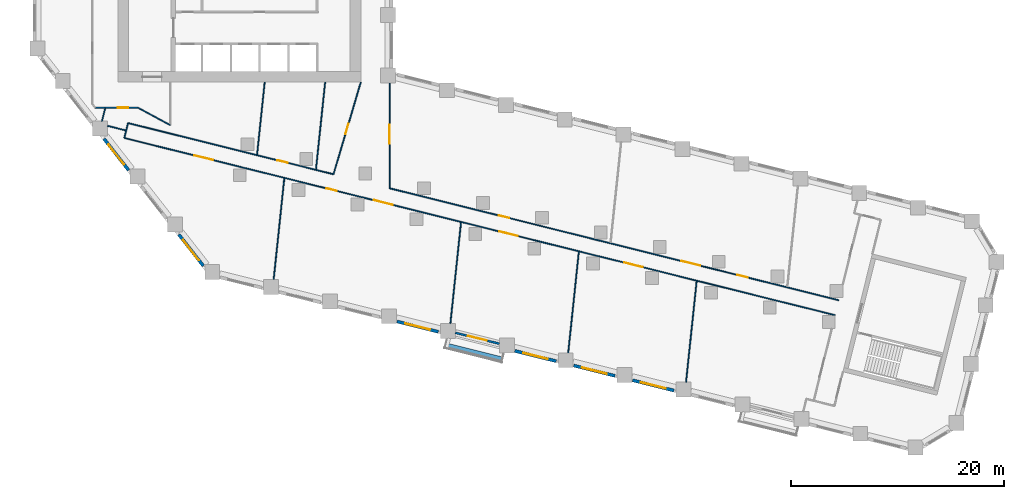
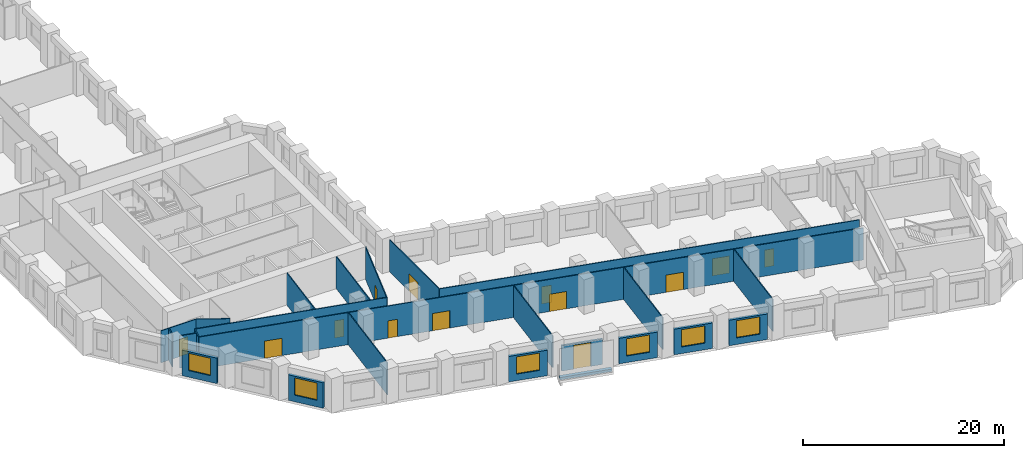
# One storey, part 3 of 11: 24 walls, 13 doors, 6 windows, 19 openings.
"""IFC4 building model written with IfcOpenShell, lengths in metres."""

from ifc_helpers import new_model, si_unit, direction, frame, frame_2d, origin, place, context, subcontext, project, spatial, rectangle, extrude, material, layer, layer_set, type_object, element, fill, save


model = new_model("IFC4")

# Units and contexts
model_context = context("Model", 3, precision=1e-05, world=origin(), true_north=direction((0.0, 1.0)))
body_context = subcontext(model_context, "Body", "Model", "MODEL_VIEW")
ifc_project = project(units=[si_unit("LENGTHUNIT", "METRE"), si_unit("AREAUNIT", "SQUARE_METRE"), si_unit("VOLUMEUNIT", "CUBIC_METRE"), si_unit("PLANEANGLEUNIT", "RADIAN"), si_unit("MASSUNIT", "GRAM", prefix="KILO")], contexts=[model_context])

# Site, building, storey
site_placement = place(None, origin())
site = spatial("IfcSite", under=ifc_project, at=site_placement, CompositionType="ELEMENT")
building_placement = place(site_placement, origin())
building = spatial("IfcBuilding", under=site, at=building_placement, Name="Meshkara Civic Tower", CompositionType="ELEMENT")
storey_placement = place(building_placement, frame((0.0, 0.0, 45.60009765625)))
storey = spatial("IfcBuildingStorey", under=building, at=storey_placement, Name="L09", CompositionType="ELEMENT", Elevation=45.60009765625)

# Wall, opening, door
ifc_material_1 = material(Name="Corridor wall 100")
ifc_layer_1 = layer(ifc_material_1, 0.10009765625)
ifc_layer_set_1 = layer_set([ifc_layer_1], Name="Corridor wall 100")
wall_type_1 = type_object("IfcWallType", Name="Corridor wall 100", PredefinedType="PARTITIONING", material=ifc_layer_set_1)
wall_1_placement = place(storey_placement, frame((5.867919921875, 11.699951171875, 0.0), z_axis=(0.0, 0.0, 1.0), x_axis=(1.0, 0.0, 0.0)))
wall_1 = element("IfcWall", 1, at=wall_1_placement, inside=storey, type_object=wall_type_1, Name="L09-W007", PredefinedType="PARTITIONING", context=body_context, shape_type="SweptSolid", body=[
    extrude(rectangle(XDim=4.031982421875, YDim=0.10009765625, at=frame_2d((2.01611328125, 0.0))), origin(), (0.0, 0.0, 1.0), 3.89990234375),
])
opening_1_placement = place(wall_1_placement, frame((2.10888671875, 0.0, 0.0)))
opening_1 = element("IfcOpeningElement", 2, at=opening_1_placement, cuts=wall_1, Name="Opening L09-D012", PredefinedType="OPENING", context=body_context, shape_type="SweptSolid", body=[
    extrude(rectangle(XDim=1.0, YDim=2.10009765625, at=frame_2d((0.5, 1.050048828125))), frame((0.0, 0.06005859375, 0.0), z_axis=(0.0, -1.0, 0.0), x_axis=(1.0, 0.0, 0.0)), (0.0, 0.0, 1.0), 0.1201171875),
])
ifc_material_2 = material(Name="Door 1000 x 2100")
door_type_1 = type_object("IfcDoorType", Name="Door 1000 x 2100", OperationType="SINGLE_SWING_LEFT", PredefinedType="DOOR", material=ifc_material_2)
door_1_placement = place(opening_1_placement, origin())
door_1 = element("IfcDoor", 3, at=door_1_placement, inside=storey, type_object=door_type_1, Name="L09-D012", OperationType="SINGLE_SWING_LEFT", OverallHeight=2.10009765625, OverallWidth=1.0, PredefinedType="DOOR", context=body_context, shape_type="SweptSolid", body=[
    extrude(rectangle(XDim=1.0, YDim=2.10009765625, at=frame_2d((0.5, 1.050048828125))), frame((0.0, 0.02490234375, 0.0), z_axis=(0.0, -1.0, 0.0), x_axis=(1.0, 0.0, 0.0)), (0.0, 0.0, 1.0), 0.050048828125),
])
fill(opening_1, door_1)

# Wall, openings, doors
wall_2_placement = place(storey_placement, frame((8.593994140625, 8.862060546875, 0.0), z_axis=(0.0, 0.0, 1.0), x_axis=(0.970292243361, -0.241935864379, 0.0)))
wall_2 = element("IfcWall", 4, at=wall_2_placement, inside=storey, type_object=wall_type_1, Name="L09-W009", PredefinedType="PARTITIONING", context=body_context, shape_type="SweptSolid", body=[
    extrude(rectangle(XDim=68.775146484375, YDim=0.10009765625, at=frame_2d((34.3876953125, 0.0))), origin(), (0.0, 0.0, 1.0), 3.89990234375),
])
opening_2_placement = place(wall_2_placement, frame((36.264892578125, 0.0, 0.0)))
opening_2 = element("IfcOpeningElement", 5, at=opening_2_placement, cuts=wall_2, Name="Opening L09-D003", PredefinedType="OPENING", context=body_context, shape_type="SweptSolid", body=[
    extrude(rectangle(XDim=1.800048828125, YDim=2.10009765625, at=frame_2d((0.89990234375, 1.050048828125))), frame((0.0, 0.06005859375, 0.0), z_axis=(0.0, -1.0, 0.0), x_axis=(1.0, 0.0, 0.0)), (0.0, 0.0, 1.0), 0.1201171875),
])
opening_3_placement = place(wall_2_placement, frame((48.364990234375, 0.0, 0.0)))
opening_3 = element("IfcOpeningElement", 6, at=opening_3_placement, cuts=wall_2, Name="Opening L09-D004", PredefinedType="OPENING", context=body_context, shape_type="SweptSolid", body=[
    extrude(rectangle(XDim=1.800048828125, YDim=2.10009765625, at=frame_2d((0.89990234375, 1.050048828125))), frame((0.0, 0.06005859375, 0.0), z_axis=(0.0, -1.0, 0.0), x_axis=(1.0, 0.0, 0.0)), (0.0, 0.0, 1.0), 0.1201171875),
])
opening_4_placement = place(wall_2_placement, frame((19.56494140625, 0.0, 0.0)))
opening_4 = element("IfcOpeningElement", 7, at=opening_4_placement, cuts=wall_2, Name="Opening L09-D008", PredefinedType="OPENING", context=body_context, shape_type="SweptSolid", body=[
    extrude(rectangle(XDim=1.0, YDim=2.10009765625, at=frame_2d((0.5, 1.050048828125))), frame((0.0, 0.06005859375, 0.0), z_axis=(0.0, -1.0, 0.0), x_axis=(1.0, 0.0, 0.0)), (0.0, 0.0, 1.0), 0.1201171875),
])
opening_5_placement = place(wall_2_placement, frame((24.1650390625, 0.0, 0.0)))
opening_5 = element("IfcOpeningElement", 8, at=opening_5_placement, cuts=wall_2, Name="Opening L09-D009", PredefinedType="OPENING", context=body_context, shape_type="SweptSolid", body=[
    extrude(rectangle(XDim=1.800048828125, YDim=2.10009765625, at=frame_2d((0.89990234375, 1.050048828125))), frame((0.0, 0.06005859375, 0.0), z_axis=(0.0, -1.0, 0.0), x_axis=(1.0, 0.0, 0.0)), (0.0, 0.0, 1.0), 0.1201171875),
])
opening_6_placement = place(wall_2_placement, frame((6.780029296875, 0.0, 0.0)))
opening_6 = element("IfcOpeningElement", 9, at=opening_6_placement, cuts=wall_2, Name="Opening L09-D013", PredefinedType="OPENING", context=body_context, shape_type="SweptSolid", body=[
    extrude(rectangle(XDim=1.800048828125, YDim=2.10009765625, at=frame_2d((0.89990234375, 1.050048828125))), frame((0.0, 0.06005859375, 0.0), z_axis=(0.0, -1.0, 0.0), x_axis=(1.0, 0.0, 0.0)), (0.0, 0.0, 1.0), 0.1201171875),
])
door_2_placement = place(opening_4_placement, origin())
door_2 = element("IfcDoor", 10, at=door_2_placement, inside=storey, type_object=door_type_1, Name="L09-D008", OperationType="SINGLE_SWING_RIGHT", OverallHeight=2.10009765625, OverallWidth=1.0, PredefinedType="DOOR", context=body_context, shape_type="SweptSolid", body=[
    extrude(rectangle(XDim=1.0, YDim=2.10009765625, at=frame_2d((0.5, 1.050048828125))), frame((0.0, 0.02490234375, 0.0), z_axis=(0.0, -1.0, 0.0), x_axis=(1.0, 0.0, 0.0)), (0.0, 0.0, 1.0), 0.050048828125),
])
fill(opening_4, door_2)
ifc_material_3 = material(Name="Door pair 1800 x 2100")
door_type_2 = type_object("IfcDoorType", Name="Door pair 1800 x 2100", OperationType="SINGLE_SWING_LEFT", PredefinedType="DOOR", material=ifc_material_3)
door_3_placement = place(opening_2_placement, origin())
door_3 = element("IfcDoor", 11, at=door_3_placement, inside=storey, type_object=door_type_2, Name="L09-D003", OperationType="DOUBLE_DOOR_SINGLE_SWING", OverallHeight=2.10009765625, OverallWidth=1.800048828125, PredefinedType="DOOR", context=body_context, shape_type="SweptSolid", body=[
    extrude(rectangle(XDim=1.800048828125, YDim=2.10009765625, at=frame_2d((0.89990234375, 1.050048828125))), frame((0.0, 0.02490234375, 0.0), z_axis=(0.0, -1.0, 0.0), x_axis=(1.0, 0.0, 0.0)), (0.0, 0.0, 1.0), 0.050048828125),
])
fill(opening_2, door_3)
door_4_placement = place(opening_3_placement, origin())
door_4 = element("IfcDoor", 12, at=door_4_placement, inside=storey, type_object=door_type_2, Name="L09-D004", OperationType="DOUBLE_DOOR_SINGLE_SWING", OverallHeight=2.10009765625, OverallWidth=1.800048828125, PredefinedType="DOOR", context=body_context, shape_type="SweptSolid", body=[
    extrude(rectangle(XDim=1.800048828125, YDim=2.10009765625, at=frame_2d((0.89990234375, 1.050048828125))), frame((0.0, 0.02490234375, 0.0), z_axis=(0.0, -1.0, 0.0), x_axis=(1.0, 0.0, 0.0)), (0.0, 0.0, 1.0), 0.050048828125),
])
fill(opening_3, door_4)
door_5_placement = place(opening_5_placement, origin())
door_5 = element("IfcDoor", 13, at=door_5_placement, inside=storey, type_object=door_type_2, Name="L09-D009", OperationType="DOUBLE_DOOR_SINGLE_SWING", OverallHeight=2.10009765625, OverallWidth=1.800048828125, PredefinedType="DOOR", context=body_context, shape_type="SweptSolid", body=[
    extrude(rectangle(XDim=1.800048828125, YDim=2.10009765625, at=frame_2d((0.89990234375, 1.050048828125))), frame((0.0, 0.02490234375, 0.0), z_axis=(0.0, -1.0, 0.0), x_axis=(1.0, 0.0, 0.0)), (0.0, 0.0, 1.0), 0.050048828125),
])
fill(opening_5, door_5)
door_6_placement = place(opening_6_placement, origin())
door_6 = element("IfcDoor", 14, at=door_6_placement, inside=storey, type_object=door_type_2, Name="L09-D013", OperationType="DOUBLE_DOOR_SINGLE_SWING", OverallHeight=2.10009765625, OverallWidth=1.800048828125, PredefinedType="DOOR", context=body_context, shape_type="SweptSolid", body=[
    extrude(rectangle(XDim=1.800048828125, YDim=2.10009765625, at=frame_2d((0.89990234375, 1.050048828125))), frame((0.0, 0.02490234375, 0.0), z_axis=(0.0, -1.0, 0.0), x_axis=(1.0, 0.0, 0.0)), (0.0, 0.0, 1.0), 0.050048828125),
])
fill(opening_6, door_6)

# Wall, opening, door
wall_3_placement = place(storey_placement, frame((8.944091796875, 10.263916015625, 0.0), z_axis=(0.0, 0.0, 1.0), x_axis=(0.970300504447, -0.241902730595, 0.0)))
wall_3 = element("IfcWall", 15, at=wall_3_placement, inside=storey, type_object=wall_type_1, Name="L09-W010", PredefinedType="PARTITIONING", context=body_context, shape_type="SweptSolid", body=[
    extrude(rectangle(XDim=19.879150390625, YDim=0.10009765625, at=frame_2d((9.939453125, 0.0))), origin(), (0.0, 0.0, 1.0), 3.89990234375),
])
opening_7_placement = place(wall_3_placement, frame((14.449951171875, 0.0, 0.0)))
opening_7 = element("IfcOpeningElement", 16, at=opening_7_placement, cuts=wall_3, Name="Opening L09-D014", PredefinedType="OPENING", context=body_context, shape_type="SweptSolid", body=[
    extrude(rectangle(XDim=1.0, YDim=2.10009765625, at=frame_2d((0.5, 1.050048828125))), frame((0.0, 0.06005859375, 0.0), z_axis=(0.0, -1.0, 0.0), x_axis=(1.0, 0.0, 0.0)), (0.0, 0.0, 1.0), 0.1201171875),
])
door_7_placement = place(opening_7_placement, origin())
door_7 = element("IfcDoor", 17, at=door_7_placement, inside=storey, type_object=door_type_1, Name="L09-D014", OperationType="SINGLE_SWING_LEFT", OverallHeight=2.10009765625, OverallWidth=1.0, PredefinedType="DOOR", context=body_context, shape_type="SweptSolid", body=[
    extrude(rectangle(XDim=1.0, YDim=2.10009765625, at=frame_2d((0.5, 1.050048828125))), frame((0.0, 0.02490234375, 0.0), z_axis=(0.0, -1.0, 0.0), x_axis=(1.0, 0.0, 0.0)), (0.0, 0.0, 1.0), 0.050048828125),
])
fill(opening_7, door_7)

# Walls
wall_4_placement = place(storey_placement, frame((8.944091796875, 10.263916015625, 0.0), z_axis=(0.0, 0.0, 1.0), x_axis=(-0.242297077633, -0.970202105837, 0.0)))
element("IfcWall", 18, at=wall_4_placement, inside=storey, type_object=wall_type_1, Name="L09-W011", PredefinedType="PARTITIONING", context=body_context, shape_type="SweptSolid", body=[
    extrude(rectangle(XDim=1.44482421875, YDim=0.10009765625, at=frame_2d((0.722412109375, 0.0))), origin(), (0.0, 0.0, 1.0), 3.89990234375),
])
wall_5_placement = place(storey_placement, frame((9.89990234375, 11.699951171875, 0.0), z_axis=(0.0, 0.0, 1.0), x_axis=(0.87965147249, -0.475618846291, 0.0)))
element("IfcWall", 19, at=wall_5_placement, inside=storey, type_object=wall_type_1, Name="L09-W012", PredefinedType="PARTITIONING", context=body_context, shape_type="SweptSolid", body=[
    extrude(rectangle(XDim=3.410400390625, YDim=0.10009765625, at=frame_2d((1.705078125, 0.0))), origin(), (0.0, 0.0, 1.0), 3.89990234375),
])

# Wall, opening, door
wall_6_placement = place(storey_placement, frame((30.800048828125, 14.10009765625, 0.0), z_axis=(0.0, 0.0, 1.0), x_axis=(-0.284664373847, -0.95862724469, 0.0)))
wall_6 = element("IfcWall", 20, at=wall_6_placement, inside=storey, type_object=wall_type_1, Name="L09-W022", PredefinedType="PARTITIONING", context=body_context, shape_type="SweptSolid", body=[
    extrude(rectangle(XDim=9.01806640625, YDim=0.10009765625, at=frame_2d((4.509033203125, 0.0))), origin(), (0.0, 0.0, 1.0), 3.89990234375),
])
opening_8_placement = place(wall_6_placement, frame((4.080078125, 0.0, 0.0)))
opening_8 = element("IfcOpeningElement", 21, at=opening_8_placement, cuts=wall_6, Name="Opening L09-D015", PredefinedType="OPENING", context=body_context, shape_type="SweptSolid", body=[
    extrude(rectangle(XDim=1.0, YDim=2.10009765625, at=frame_2d((0.5, 1.050048828125))), frame((0.0, 0.06005859375, 0.0), z_axis=(0.0, -1.0, 0.0), x_axis=(1.0, 0.0, 0.0)), (0.0, 0.0, 1.0), 0.1201171875),
])
door_8_placement = place(opening_8_placement, origin())
door_8 = element("IfcDoor", 22, at=door_8_placement, inside=storey, type_object=door_type_1, Name="L09-D015", OperationType="SINGLE_SWING_LEFT", OverallHeight=2.10009765625, OverallWidth=1.0, PredefinedType="DOOR", context=body_context, shape_type="SweptSolid", body=[
    extrude(rectangle(XDim=1.0, YDim=2.10009765625, at=frame_2d((0.5, 1.050048828125))), frame((0.0, 0.02490234375, 0.0), z_axis=(0.0, -1.0, 0.0), x_axis=(1.0, 0.0, 0.0)), (0.0, 0.0, 1.0), 0.050048828125),
])
fill(opening_8, door_8)

# Wall, openings, doors
wall_7_placement = place(storey_placement, frame((33.5, 4.14111328125, 0.0), z_axis=(0.0, 0.0, 1.0), x_axis=(0.970298574657, -0.24191047108, 0.0)))
wall_7 = element("IfcWall", 23, at=wall_7_placement, inside=storey, type_object=wall_type_1, Name="L09-W023", PredefinedType="PARTITIONING", context=body_context, shape_type="SweptSolid", body=[
    extrude(rectangle(XDim=43.467041015625, YDim=0.10009765625, at=frame_2d((21.7333984375, 0.0))), origin(), (0.0, 0.0, 1.0), 3.89990234375),
])
opening_9_placement = place(wall_7_placement, frame((28.242919921875, 0.0, 0.0)))
opening_9 = element("IfcOpeningElement", 24, at=opening_9_placement, cuts=wall_7, Name="Opening L09-D005", PredefinedType="OPENING", context=body_context, shape_type="SweptSolid", body=[
    extrude(rectangle(XDim=1.800048828125, YDim=2.10009765625, at=frame_2d((0.89990234375, 1.050048828125))), frame((0.0, 0.06005859375, 0.0), z_axis=(0.0, -1.0, 0.0), x_axis=(1.0, 0.0, 0.0)), (0.0, 0.0, 1.0), 0.1201171875),
])
opening_10_placement = place(wall_7_placement, frame((33.64306640625, 0.0, 0.0)))
opening_10 = element("IfcOpeningElement", 25, at=opening_10_placement, cuts=wall_7, Name="Opening L09-D006", PredefinedType="OPENING", context=body_context, shape_type="SweptSolid", body=[
    extrude(rectangle(XDim=1.0, YDim=2.10009765625, at=frame_2d((0.5, 1.050048828125))), frame((0.0, 0.06005859375, 0.0), z_axis=(0.0, -1.0, 0.0), x_axis=(1.0, 0.0, 0.0)), (0.0, 0.0, 1.0), 0.1201171875),
])
opening_11_placement = place(wall_7_placement, frame((10.580078125, 0.0, 0.0)))
opening_11 = element("IfcOpeningElement", 26, at=opening_11_placement, cuts=wall_7, Name="Opening L09-D010", PredefinedType="OPENING", context=body_context, shape_type="SweptSolid", body=[
    extrude(rectangle(XDim=1.0, YDim=2.10009765625, at=frame_2d((0.5, 1.050048828125))), frame((0.0, 0.06005859375, 0.0), z_axis=(0.0, -1.0, 0.0), x_axis=(1.0, 0.0, 0.0)), (0.0, 0.0, 1.0), 0.1201171875),
])
door_9_placement = place(opening_10_placement, origin())
door_9 = element("IfcDoor", 27, at=door_9_placement, inside=storey, type_object=door_type_1, Name="L09-D006", OperationType="SINGLE_SWING_RIGHT", OverallHeight=2.10009765625, OverallWidth=1.0, PredefinedType="DOOR", context=body_context, shape_type="SweptSolid", body=[
    extrude(rectangle(XDim=1.0, YDim=2.10009765625, at=frame_2d((0.5, 1.050048828125))), frame((0.0, 0.02490234375, 0.0), z_axis=(0.0, -1.0, 0.0), x_axis=(1.0, 0.0, 0.0)), (0.0, 0.0, 1.0), 0.050048828125),
])
fill(opening_10, door_9)
door_10_placement = place(opening_11_placement, origin())
door_10 = element("IfcDoor", 28, at=door_10_placement, inside=storey, type_object=door_type_1, Name="L09-D010", OperationType="SINGLE_SWING_RIGHT", OverallHeight=2.10009765625, OverallWidth=1.0, PredefinedType="DOOR", context=body_context, shape_type="SweptSolid", body=[
    extrude(rectangle(XDim=1.0, YDim=2.10009765625, at=frame_2d((0.5, 1.050048828125))), frame((0.0, 0.02490234375, 0.0), z_axis=(0.0, -1.0, 0.0), x_axis=(1.0, 0.0, 0.0)), (0.0, 0.0, 1.0), 0.050048828125),
])
fill(opening_11, door_10)
door_11_placement = place(opening_9_placement, origin())
door_11 = element("IfcDoor", 29, at=door_11_placement, inside=storey, type_object=door_type_2, Name="L09-D005", OperationType="DOUBLE_DOOR_SINGLE_SWING", OverallHeight=2.10009765625, OverallWidth=1.800048828125, PredefinedType="DOOR", context=body_context, shape_type="SweptSolid", body=[
    extrude(rectangle(XDim=1.800048828125, YDim=2.10009765625, at=frame_2d((0.89990234375, 1.050048828125))), frame((0.0, 0.02490234375, 0.0), z_axis=(0.0, -1.0, 0.0), x_axis=(1.0, 0.0, 0.0)), (0.0, 0.0, 1.0), 0.050048828125),
])
fill(opening_9, door_11)

# Wall, opening, door
wall_8_placement = place(storey_placement, frame((33.5, 4.14111328125, 0.0), z_axis=(0.0, 0.0, 1.0), x_axis=(0.0, 1.0, 0.0)))
wall_8 = element("IfcWall", 30, at=wall_8_placement, inside=storey, type_object=wall_type_1, Name="L09-W024", PredefinedType="PARTITIONING", context=body_context, shape_type="SweptSolid", body=[
    extrude(rectangle(XDim=9.8779296875, YDim=0.10009765625, at=frame_2d((4.93896484375, 0.0))), origin(), (0.0, 0.0, 1.0), 3.89990234375),
])
opening_12_placement = place(wall_8_placement, frame((4.179931640625, 0.0, 0.0)))
opening_12 = element("IfcOpeningElement", 31, at=opening_12_placement, cuts=wall_8, Name="Opening L09-D016", PredefinedType="OPENING", context=body_context, shape_type="SweptSolid", body=[
    extrude(rectangle(XDim=1.800048828125, YDim=2.10009765625, at=frame_2d((0.89990234375, 1.050048828125))), frame((0.0, 0.06005859375, 0.0), z_axis=(0.0, -1.0, 0.0), x_axis=(1.0, 0.0, 0.0)), (0.0, 0.0, 1.0), 0.1201171875),
])
door_12_placement = place(opening_12_placement, origin())
door_12 = element("IfcDoor", 32, at=door_12_placement, inside=storey, type_object=door_type_2, Name="L09-D016", OperationType="DOUBLE_DOOR_SINGLE_SWING", OverallHeight=2.10009765625, OverallWidth=1.800048828125, PredefinedType="DOOR", context=body_context, shape_type="SweptSolid", body=[
    extrude(rectangle(XDim=1.800048828125, YDim=2.10009765625, at=frame_2d((0.89990234375, 1.050048828125))), frame((0.0, 0.02490234375, 0.0), z_axis=(0.0, -1.0, 0.0), x_axis=(1.0, 0.0, 0.0)), (0.0, 0.0, 1.0), 0.050048828125),
])
fill(opening_12, door_12)

# Wall, opening, window
ifc_material_4 = material(Name="Insulated infill panel with bronze anodised aluminium cladding", Category="aluminium")
ifc_layer_2 = layer(ifc_material_4, 0.300048828125)
ifc_layer_set_2 = layer_set([ifc_layer_2], Name="EXTERNAL INFILL WALL 300")
wall_type_2 = type_object("IfcWallType", Name="EXTERNAL INFILL WALL 300", PredefinedType="SOLIDWALL", material=ifc_layer_set_2)
wall_9_placement = place(storey_placement, frame((6.69189453125, 8.778076171875, 0.0), z_axis=(0.0, 0.0, 1.0), x_axis=(0.615767067156, -0.787928244833, 0.0)))
wall_9 = element("IfcWall", 33, at=wall_9_placement, inside=storey, type_object=wall_type_2, Name="External wall", PredefinedType="SOLIDWALL", context=body_context, shape_type="SweptSolid", body=[
    extrude(rectangle(XDim=3.7353515625, YDim=0.300048828125, at=frame_2d((1.86767578125, 0.0))), origin(), (0.0, 0.0, 1.0), 3.099853515625),
])
opening_13_placement = place(wall_9_placement, frame((0.66796875, 0.0, 0.800048828125)))
opening_13 = element("IfcOpeningElement", 34, at=opening_13_placement, cuts=wall_9, Name="Opening W7", PredefinedType="OPENING", context=body_context, shape_type="SweptSolid", body=[
    extrude(rectangle(XDim=2.39990234375, YDim=2.10009765625, at=frame_2d((1.199951171875, 1.050048828125))), frame((0.0, 0.159912109375, 0.0), z_axis=(0.0, -1.0, 0.0), x_axis=(1.0, 0.0, 0.0)), (0.0, 0.0, 1.0), 0.320068359375),
])
ifc_material_5 = material(Name="Tinted double glazing", Category="glass")
window_type = type_object("IfcWindowType", Name="WINDOW 2400x2100", PartitioningType="DOUBLE_PANEL_VERTICAL", PredefinedType="WINDOW", material=ifc_material_5)
window_1_placement = place(opening_13_placement, origin())
window_1 = element("IfcWindow", 35, at=window_1_placement, inside=storey, type_object=window_type, Name="Window", OverallHeight=2.10009765625, OverallWidth=2.39990234375, PartitioningType="DOUBLE_PANEL_VERTICAL", PredefinedType="WINDOW", context=body_context, shape_type="SweptSolid", body=[
    extrude(rectangle(XDim=2.39990234375, YDim=2.10009765625, at=frame_2d((1.199951171875, 1.050048828125))), frame((0.0, 0.030029296875, 0.0), z_axis=(0.0, -1.0, 0.0), x_axis=(1.0, 0.0, 0.0)), (0.0, 0.0, 1.0), 0.06005859375),
])
fill(opening_13, window_1)

wall_10_placement = place(storey_placement, frame((13.7099609375, -0.205078125, 0.0), z_axis=(0.0, 0.0, 1.0), x_axis=(0.615798780214, -0.787903460004, 0.0)))
wall_10 = element("IfcWall", 36, at=wall_10_placement, inside=storey, type_object=wall_type_2, Name="External wall", PredefinedType="SOLIDWALL", context=body_context, shape_type="SweptSolid", body=[
    extrude(rectangle(XDim=3.735107421875, YDim=0.300048828125, at=frame_2d((1.86767578125, 0.0))), origin(), (0.0, 0.0, 1.0), 3.099853515625),
])
opening_14_placement = place(wall_10_placement, frame((0.6669921875, 0.0, 0.800048828125)))
opening_14 = element("IfcOpeningElement", 37, at=opening_14_placement, cuts=wall_10, Name="Opening W7", PredefinedType="OPENING", context=body_context, shape_type="SweptSolid", body=[
    extrude(rectangle(XDim=2.39990234375, YDim=2.10009765625, at=frame_2d((1.199951171875, 1.050048828125))), frame((0.0, 0.159912109375, 0.0), z_axis=(0.0, -1.0, 0.0), x_axis=(1.0, 0.0, 0.0)), (0.0, 0.0, 1.0), 0.320068359375),
])
window_2_placement = place(opening_14_placement, origin())
window_2 = element("IfcWindow", 38, at=window_2_placement, inside=storey, type_object=window_type, Name="Window", OverallHeight=2.10009765625, OverallWidth=2.39990234375, PartitioningType="DOUBLE_PANEL_VERTICAL", PredefinedType="WINDOW", context=body_context, shape_type="SweptSolid", body=[
    extrude(rectangle(XDim=2.39990234375, YDim=2.10009765625, at=frame_2d((1.199951171875, 1.050048828125))), frame((0.0, 0.030029296875, 0.0), z_axis=(0.0, -1.0, 0.0), x_axis=(1.0, 0.0, 0.0)), (0.0, 0.0, 1.0), 0.06005859375),
])
fill(opening_14, window_2)

wall_11_placement = place(storey_placement, frame((34.194091796875, -8.37109375, 0.0), z_axis=(0.0, 0.0, 1.0), x_axis=(0.970314477803, -0.241846674911, 0.0)))
wall_11 = element("IfcWall", 39, at=wall_11_placement, inside=storey, type_object=wall_type_2, Name="External wall", PredefinedType="SOLIDWALL", context=body_context, shape_type="SweptSolid", body=[
    extrude(rectangle(XDim=4.002685546875, YDim=0.300048828125, at=frame_2d((2.00146484375, 0.0))), origin(), (0.0, 0.0, 1.0), 3.099853515625),
])
opening_15_placement = place(wall_11_placement, frame((0.802001953125, 0.0, 0.800048828125)))
opening_15 = element("IfcOpeningElement", 40, at=opening_15_placement, cuts=wall_11, Name="Opening W7", PredefinedType="OPENING", context=body_context, shape_type="SweptSolid", body=[
    extrude(rectangle(XDim=2.39990234375, YDim=2.10009765625, at=frame_2d((1.199951171875, 1.050048828125))), frame((0.0, 0.159912109375, 0.0), z_axis=(0.0, -1.0, 0.0), x_axis=(1.0, 0.0, 0.0)), (0.0, 0.0, 1.0), 0.320068359375),
])
window_3_placement = place(opening_15_placement, origin())
window_3 = element("IfcWindow", 41, at=window_3_placement, inside=storey, type_object=window_type, Name="Window", OverallHeight=2.10009765625, OverallWidth=2.39990234375, PartitioningType="DOUBLE_PANEL_VERTICAL", PredefinedType="WINDOW", context=body_context, shape_type="SweptSolid", body=[
    extrude(rectangle(XDim=2.39990234375, YDim=2.10009765625, at=frame_2d((1.199951171875, 1.050048828125))), frame((0.0, 0.030029296875, 0.0), z_axis=(0.0, -1.0, 0.0), x_axis=(1.0, 0.0, 0.0)), (0.0, 0.0, 1.0), 0.06005859375),
])
fill(opening_15, window_3)

wall_12_placement = place(storey_placement, frame((45.256103515625, -11.12890625, 0.0), z_axis=(0.0, 0.0, 1.0), x_axis=(0.970300202301, -0.241903942538, 0.0)))
wall_12 = element("IfcWall", 42, at=wall_12_placement, inside=storey, type_object=wall_type_2, Name="External wall", PredefinedType="SOLIDWALL", context=body_context, shape_type="SweptSolid", body=[
    extrude(rectangle(XDim=4.001708984375, YDim=0.300048828125, at=frame_2d((2.0009765625, 0.0))), origin(), (0.0, 0.0, 1.0), 3.099853515625),
])
opening_16_placement = place(wall_12_placement, frame((0.801025390625, 0.0, 0.800048828125)))
opening_16 = element("IfcOpeningElement", 43, at=opening_16_placement, cuts=wall_12, Name="Opening W7", PredefinedType="OPENING", context=body_context, shape_type="SweptSolid", body=[
    extrude(rectangle(XDim=2.39990234375, YDim=2.10009765625, at=frame_2d((1.199951171875, 1.050048828125))), frame((0.0, 0.159912109375, 0.0), z_axis=(0.0, -1.0, 0.0), x_axis=(1.0, 0.0, 0.0)), (0.0, 0.0, 1.0), 0.320068359375),
])
window_4_placement = place(opening_16_placement, origin())
window_4 = element("IfcWindow", 44, at=window_4_placement, inside=storey, type_object=window_type, Name="Window", OverallHeight=2.10009765625, OverallWidth=2.39990234375, PartitioningType="DOUBLE_PANEL_VERTICAL", PredefinedType="WINDOW", context=body_context, shape_type="SweptSolid", body=[
    extrude(rectangle(XDim=2.39990234375, YDim=2.10009765625, at=frame_2d((1.199951171875, 1.050048828125))), frame((0.0, 0.030029296875, 0.0), z_axis=(0.0, -1.0, 0.0), x_axis=(1.0, 0.0, 0.0)), (0.0, 0.0, 1.0), 0.06005859375),
])
fill(opening_16, window_4)

wall_13_placement = place(storey_placement, frame((50.785888671875, -12.508056640625, 0.0), z_axis=(0.0, 0.0, 1.0), x_axis=(0.970318045095, -0.24183236211, 0.0)))
wall_13 = element("IfcWall", 45, at=wall_13_placement, inside=storey, type_object=wall_type_2, Name="External wall", PredefinedType="SOLIDWALL", context=body_context, shape_type="SweptSolid", body=[
    extrude(rectangle(XDim=4.0029296875, YDim=0.300048828125, at=frame_2d((2.00146484375, 0.0))), origin(), (0.0, 0.0, 1.0), 3.099853515625),
])
opening_17_placement = place(wall_13_placement, frame((0.802001953125, 0.0, 0.800048828125)))
opening_17 = element("IfcOpeningElement", 46, at=opening_17_placement, cuts=wall_13, Name="Opening W7", PredefinedType="OPENING", context=body_context, shape_type="SweptSolid", body=[
    extrude(rectangle(XDim=2.39990234375, YDim=2.10009765625, at=frame_2d((1.199951171875, 1.050048828125))), frame((0.0, 0.159912109375, 0.0), z_axis=(0.0, -1.0, 0.0), x_axis=(1.0, 0.0, 0.0)), (0.0, 0.0, 1.0), 0.320068359375),
])
window_5_placement = place(opening_17_placement, origin())
window_5 = element("IfcWindow", 47, at=window_5_placement, inside=storey, type_object=window_type, Name="Window", OverallHeight=2.10009765625, OverallWidth=2.39990234375, PartitioningType="DOUBLE_PANEL_VERTICAL", PredefinedType="WINDOW", context=body_context, shape_type="SweptSolid", body=[
    extrude(rectangle(XDim=2.39990234375, YDim=2.10009765625, at=frame_2d((1.199951171875, 1.050048828125))), frame((0.0, 0.030029296875, 0.0), z_axis=(0.0, -1.0, 0.0), x_axis=(1.0, 0.0, 0.0)), (0.0, 0.0, 1.0), 0.06005859375),
])
fill(opening_17, window_5)

wall_14_placement = place(storey_placement, frame((56.31689453125, -13.886962890625, 0.0), z_axis=(0.0, 0.0, 1.0), x_axis=(0.970318045095, -0.24183236211, 0.0)))
wall_14 = element("IfcWall", 48, at=wall_14_placement, inside=storey, type_object=wall_type_2, Name="External wall", PredefinedType="SOLIDWALL", context=body_context, shape_type="SweptSolid", body=[
    extrude(rectangle(XDim=4.0029296875, YDim=0.300048828125, at=frame_2d((2.00146484375, 0.0))), origin(), (0.0, 0.0, 1.0), 3.099853515625),
])
opening_18_placement = place(wall_14_placement, frame((0.802001953125, 0.0, 0.800048828125)))
opening_18 = element("IfcOpeningElement", 49, at=opening_18_placement, cuts=wall_14, Name="Opening W7", PredefinedType="OPENING", context=body_context, shape_type="SweptSolid", body=[
    extrude(rectangle(XDim=2.39990234375, YDim=2.10009765625, at=frame_2d((1.199951171875, 1.050048828125))), frame((0.0, 0.159912109375, 0.0), z_axis=(0.0, -1.0, 0.0), x_axis=(1.0, 0.0, 0.0)), (0.0, 0.0, 1.0), 0.320068359375),
])
window_6_placement = place(opening_18_placement, origin())
window_6 = element("IfcWindow", 50, at=window_6_placement, inside=storey, type_object=window_type, Name="Window", OverallHeight=2.10009765625, OverallWidth=2.39990234375, PartitioningType="DOUBLE_PANEL_VERTICAL", PredefinedType="WINDOW", context=body_context, shape_type="SweptSolid", body=[
    extrude(rectangle(XDim=2.39990234375, YDim=2.10009765625, at=frame_2d((1.199951171875, 1.050048828125))), frame((0.0, 0.030029296875, 0.0), z_axis=(0.0, -1.0, 0.0), x_axis=(1.0, 0.0, 0.0)), (0.0, 0.0, 1.0), 0.06005859375),
])
fill(opening_18, window_6)

# Wall, opening, door
ifc_material_6 = material(Name="Insulated infill panel with bronze anodised aluminium cladding", Category="aluminium")
ifc_layer_3 = layer(ifc_material_6, 0.199951171875)
ifc_layer_set_3 = layer_set([ifc_layer_3], Name="LOGGIA BACK WALL 200")
wall_type_3 = type_object("IfcWallType", Name="LOGGIA BACK WALL 200", PredefinedType="SOLIDWALL", material=ifc_layer_set_3)
wall_15_placement = place(storey_placement, frame((39.674072265625, -9.427978515625, 0.0), z_axis=(0.0, 0.0, 1.0), x_axis=(0.970290742877, -0.241941882045, 0.0)))
wall_15 = element("IfcWall", 51, at=wall_15_placement, inside=storey, type_object=wall_type_3, Name="Loggia wall", PredefinedType="SOLIDWALL", context=body_context, shape_type="SweptSolid", body=[
    extrude(rectangle(XDim=4.25732421875, YDim=0.199951171875, at=frame_2d((2.128662109375, 0.0))), origin(), (0.0, 0.0, 1.0), 3.099853515625),
])
opening_19_placement = place(wall_15_placement, frame((1.22802734375, 0.0, 0.0)))
opening_19 = element("IfcOpeningElement", 52, at=opening_19_placement, cuts=wall_15, Name="Opening L09-L003", PredefinedType="OPENING", context=body_context, shape_type="SweptSolid", body=[
    extrude(rectangle(XDim=1.800048828125, YDim=2.89990234375, at=frame_2d((0.89990234375, 1.449951171875))), frame((0.0, 0.10986328125, 0.0), z_axis=(0.0, -1.0, 0.0), x_axis=(1.0, 0.0, 0.0)), (0.0, 0.0, 1.0), 0.219970703125),
])
ifc_material_7 = material(Name="Tinted double glazing", Category="glass")
door_type_3 = type_object("IfcDoorType", Name="LOGGIA DOOR 1800x2900", OperationType="DOUBLE_DOOR_SINGLE_SWING", PredefinedType="DOOR", material=ifc_material_7)
door_13_placement = place(opening_19_placement, origin())
door_13 = element("IfcDoor", 53, at=door_13_placement, inside=storey, type_object=door_type_3, Name="L09-L003", OperationType="DOUBLE_DOOR_SINGLE_SWING", OverallHeight=2.89990234375, OverallWidth=1.800048828125, PredefinedType="DOOR", context=body_context, shape_type="SweptSolid", body=[
    extrude(rectangle(XDim=1.800048828125, YDim=2.89990234375, at=frame_2d((0.89990234375, 1.449951171875))), frame((0.0, 0.02490234375, 0.0), z_axis=(0.0, -1.0, 0.0), x_axis=(1.0, 0.0, 0.0)), (0.0, 0.0, 1.0), 0.050048828125),
])
fill(opening_19, door_13)

# Walls
ifc_material_8 = material(Name="Concrete C40", Category="concrete")
ifc_layer_4 = layer(ifc_material_8, 0.39990234375)
ifc_layer_set_4 = layer_set([ifc_layer_4], Name="PLANTER TRAY")
wall_type_4 = type_object("IfcWallType", Name="PLANTER TRAY", PredefinedType="SOLIDWALL", material=ifc_layer_set_4)
wall_16_placement = place(storey_placement, frame((38.81689453125, -10.5849609375, 0.0), z_axis=(0.0, 0.0, 1.0), x_axis=(0.970281652924, -0.241978333739, 0.0)))
element("IfcWall", 54, at=wall_16_placement, inside=storey, type_object=wall_type_4, Name="Planter", PredefinedType="SOLIDWALL", context=body_context, shape_type="SweptSolid", body=[
    extrude(rectangle(XDim=5.360595703125, YDim=0.39990234375, at=frame_2d((2.68017578125, 0.0))), origin(), (0.0, 0.0, 1.0), 0.2998046875),
])
ifc_material_9 = material(Name="Partition 100")
ifc_layer_5 = layer(ifc_material_9, 0.10009765625)
ifc_layer_set_5 = layer_set([ifc_layer_5], Name="Partition 100")
wall_type_5 = type_object("IfcWallType", Name="Partition 100", PredefinedType="PARTITIONING", material=ifc_layer_set_5)
wall_17_placement = place(storey_placement, frame((6.797119140625, 11.637939453125, 0.0), z_axis=(0.0, 0.0, 1.0), x_axis=(-0.242396400943, -0.970177295555, 0.0)))
element("IfcWall", 55, at=wall_17_placement, inside=storey, type_object=wall_type_5, Name="L09-W038", PredefinedType="PARTITIONING", context=body_context, shape_type="SweptSolid", body=[
    extrude(rectangle(XDim=1.23779296875, YDim=0.10009765625, at=frame_2d((0.618896484375, 0.0))), origin(), (0.0, 0.0, 1.0), 3.89990234375),
])
wall_18_placement = place(storey_placement, frame((8.719970703125, 9.573974609375, 0.0), z_axis=(0.0, 0.0, 1.0), x_axis=(-0.97016712555, 0.242437102155, 0.0)))
element("IfcWall", 56, at=wall_18_placement, inside=storey, type_object=wall_type_5, Name="L09-W039", PredefinedType="PARTITIONING", context=body_context, shape_type="SweptSolid", body=[
    extrude(rectangle(XDim=1.749267578125, YDim=0.10009765625, at=frame_2d((0.87451171875, 0.0))), origin(), (0.0, 0.0, 1.0), 3.89990234375),
])
wall_19_placement = place(storey_placement, frame((21.05810546875, 7.302001953125, 0.0), z_axis=(0.0, 0.0, 1.0), x_axis=(0.10457695042, 0.994516797968, 0.0)))
element("IfcWall", 57, at=wall_19_placement, inside=storey, type_object=wall_type_5, Name="L09-W043", PredefinedType="PARTITIONING", context=body_context, shape_type="SweptSolid", body=[
    extrude(rectangle(XDim=6.835693359375, YDim=0.10009765625, at=frame_2d((3.41796875, 0.0))), origin(), (0.0, 0.0, 1.0), 3.89990234375),
])
wall_20_placement = place(storey_placement, frame((22.616943359375, -4.4169921875, 0.0), z_axis=(0.0, 0.0, 1.0), x_axis=(0.10455139139, 0.994519485258, 0.0)))
element("IfcWall", 58, at=wall_20_placement, inside=storey, type_object=wall_type_5, Name="L09-W046", PredefinedType="PARTITIONING", context=body_context, shape_type="SweptSolid", body=[
    extrude(rectangle(XDim=9.52734375, YDim=0.10009765625, at=frame_2d((4.763671875, 0.0))), origin(), (0.0, 0.0, 1.0), 3.89990234375),
])
wall_21_placement = place(storey_placement, frame((26.589111328125, 5.923095703125, 0.0), z_axis=(0.0, 0.0, 1.0), x_axis=(0.104579677912, 0.994516511159, 0.0)))
element("IfcWall", 59, at=wall_21_placement, inside=storey, type_object=wall_type_5, Name="L09-W047", PredefinedType="PARTITIONING", context=body_context, shape_type="SweptSolid", body=[
    extrude(rectangle(XDim=8.22216796875, YDim=0.10009765625, at=frame_2d((4.111083984375, 0.0))), origin(), (0.0, 0.0, 1.0), 3.89990234375),
])
wall_22_placement = place(storey_placement, frame((39.2080078125, -8.553955078125, 0.0), z_axis=(0.0, 0.0, 1.0), x_axis=(0.104655437758, 0.994508541616, 0.0)))
element("IfcWall", 60, at=wall_22_placement, inside=storey, type_object=wall_type_5, Name="L09-W048", PredefinedType="PARTITIONING", context=body_context, shape_type="SweptSolid", body=[
    extrude(rectangle(XDim=9.527099609375, YDim=0.10009765625, at=frame_2d((4.763671875, 0.0))), origin(), (0.0, 0.0, 1.0), 3.89990234375),
])
wall_23_placement = place(storey_placement, frame((50.27001953125, -11.31103515625, 0.0), z_axis=(0.0, 0.0, 1.0), x_axis=(0.104562050398, 0.994518364645, 0.0)))
element("IfcWall", 61, at=wall_23_placement, inside=storey, type_object=wall_type_5, Name="L09-W049", PredefinedType="PARTITIONING", context=body_context, shape_type="SweptSolid", body=[
    extrude(rectangle(XDim=9.5263671875, YDim=0.10009765625, at=frame_2d((4.76318359375, 0.0))), origin(), (0.0, 0.0, 1.0), 3.89990234375),
])
wall_24_placement = place(storey_placement, frame((61.33203125, -14.069091796875, 0.0), z_axis=(0.0, 0.0, 1.0), x_axis=(0.104435309065, 0.994531681859, 0.0)))
element("IfcWall", 62, at=wall_24_placement, inside=storey, type_object=wall_type_5, Name="L09-W051", PredefinedType="PARTITIONING", context=body_context, shape_type="SweptSolid", body=[
    extrude(rectangle(XDim=9.526123046875, YDim=0.10009765625, at=frame_2d((4.76318359375, 0.0))), origin(), (0.0, 0.0, 1.0), 3.89990234375),
])

save(model, "model.ifc")
